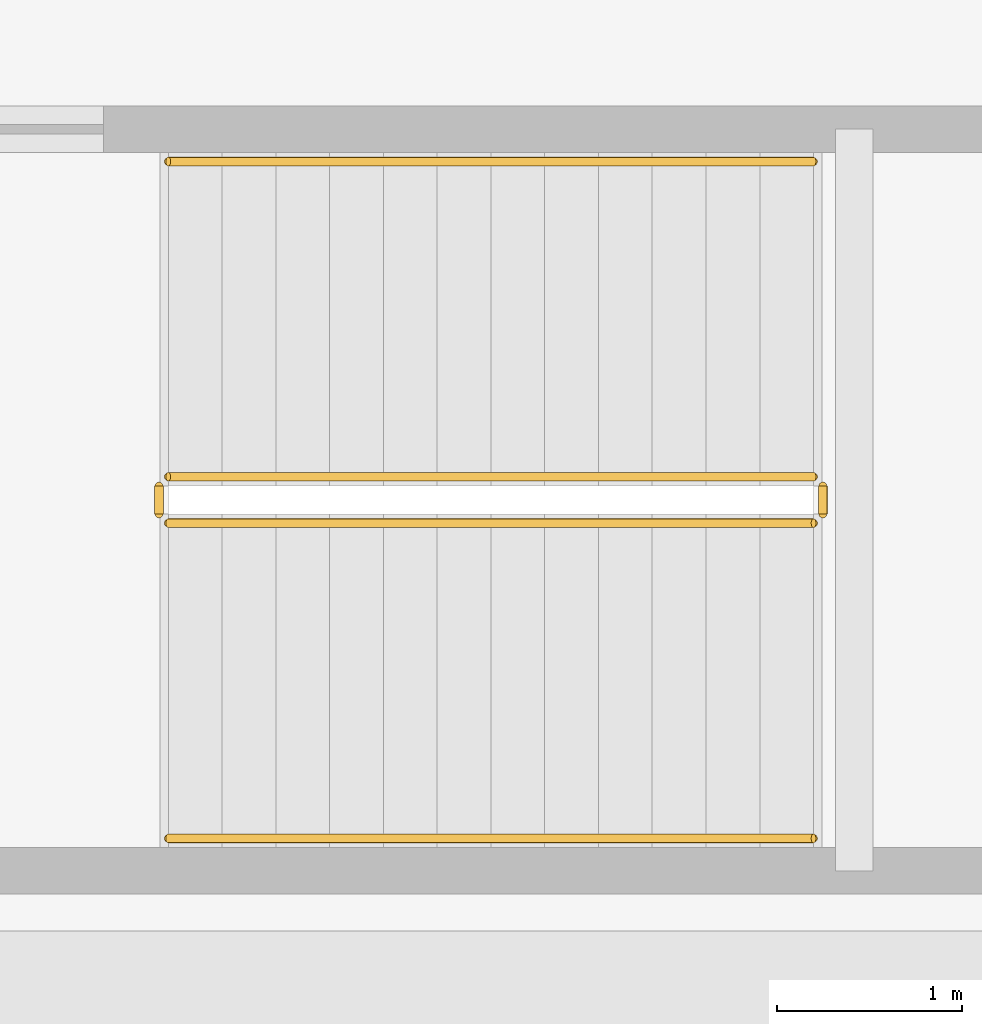
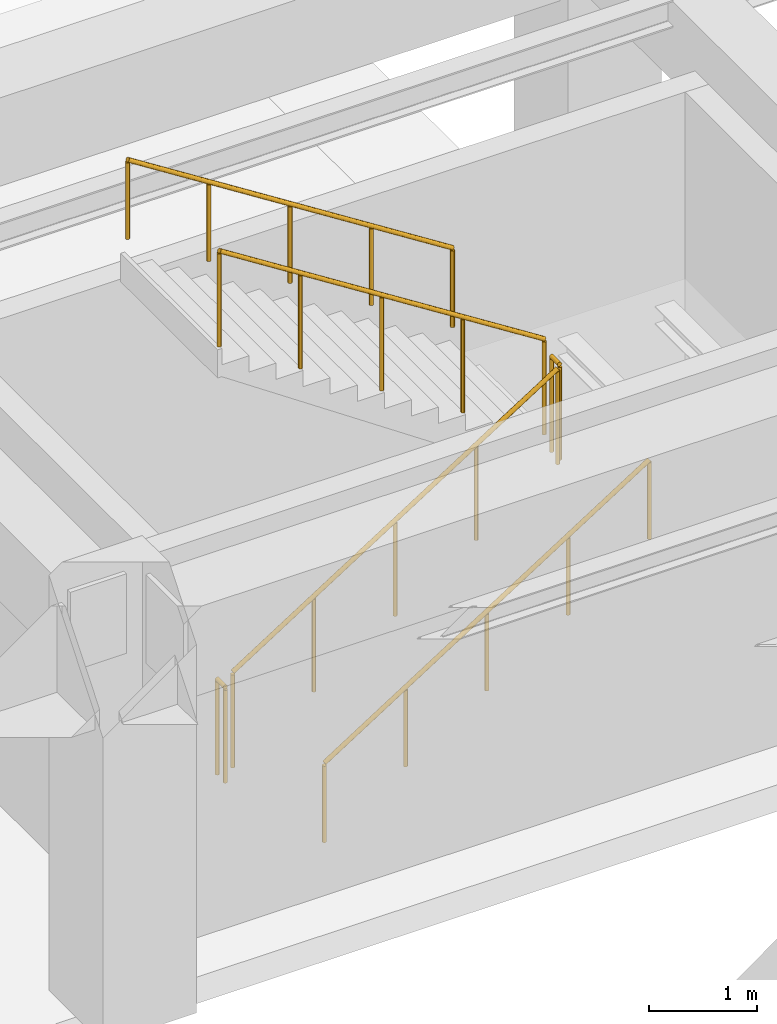
# One storey, part 43 of 45: 6 railings.
"""IFC4 building model written with IfcOpenShell, lengths in metres."""

import ifcopenshell
import ifcopenshell.guid

model = None  # the IFC model being written
_history = None  # IfcOwnerHistory: only IFC2X3 demands one
_inside = {}  # id of a spatial element -> (the spatial element, [elements in it])
_under = {}  # id of a project, library or spatial element -> (it, [spatial elements below it])
_declared = {}  # id of a project -> (the project, [libraries it declares])
_typed = {}  # id of a type object -> (the type object, [elements of that type])
_made_of = {}  # id of a material, layer set ... -> (it, [elements and type objects made of it])


def new_model(schema):
    """Start an empty IFC model of exactly this schema.

    Asked for "IFC4X3", IfcOpenShell would pick the latest addendum, in which some entities
    have other attributes; the version numbers below select the first issue.
    IFC2X3 requires an IfcOwnerHistory on every rooted entity: one is made here for all.
    """
    global model, _history
    if schema == "IFC4X3":
        model = ifcopenshell.file(schema_version=(4, 3, 0, 0))
    else:
        model = ifcopenshell.file(schema=schema)
    _inside.clear()
    _under.clear()
    _declared.clear()
    _typed.clear()
    _made_of.clear()
    _history = None
    if model.schema == "IFC2X3":
        org = make("IfcOrganization", Name="unknown")
        user = make(
            "IfcPersonAndOrganization",
            ThePerson=make("IfcPerson", FamilyName="unknown"),
            TheOrganization=org,
        )
        app = make(
            "IfcApplication",
            ApplicationDeveloper=org,
            Version="unknown",
            ApplicationFullName="unknown",
            ApplicationIdentifier="unknown",
        )
        _history = make(
            "IfcOwnerHistory",
            OwningUser=user,
            OwningApplication=app,
            ChangeAction="ADDED",
            CreationDate=0,
        )
    return model


def make(cls, **values):
    """One entity of the class cls with the attributes given. An attribute that is None is left unset."""
    return model.create_entity(
        cls, **{name: value for name, value in values.items() if value is not None}
    )


def rooted(cls, **values):
    """An entity with a GlobalId (a new one), such as an element, a storey or a relation."""
    return make(cls, GlobalId=ifcopenshell.guid.new(), OwnerHistory=_history, **values)


def si_unit(unit_type, name, prefix=None):
    """IfcSIUnit, for example si_unit("LENGTHUNIT", "METRE", prefix="MILLI")."""
    return make("IfcSIUnit", UnitType=unit_type, Prefix=prefix, Name=name)


def assignment(units):
    """IfcUnitAssignment: the units of a project."""
    return None if units is None else make("IfcUnitAssignment", Units=units)


def point(xyz):
    """IfcCartesianPoint."""
    return None if xyz is None else make("IfcCartesianPoint", Coordinates=xyz)


def direction(xyz):
    """IfcDirection."""
    return None if xyz is None else make("IfcDirection", DirectionRatios=xyz)


def frame(location, z_axis=None, x_axis=None):
    """IfcAxis2Placement3D, a coordinate frame: its origin and axes. An axis left out is left unset."""
    return make(
        "IfcAxis2Placement3D",
        Location=point(location),
        Axis=direction(z_axis),
        RefDirection=direction(x_axis),
    )


def frame_2d(location, x_axis=None):
    """IfcAxis2Placement2D, a coordinate frame in the plane: its origin and x axis."""
    return make(
        "IfcAxis2Placement2D", Location=point(location), RefDirection=direction(x_axis)
    )


def origin():
    """The frame at (0, 0, 0) with its axes left unset."""
    return frame((0.0, 0.0, 0.0))


def origin_2d():
    """The frame at (0, 0) in the plane with its x axis left unset."""
    return frame_2d((0.0, 0.0))


def place(relative_to, where):
    """IfcLocalPlacement: puts the frame where relative to a parent placement (None: the world)."""
    return make(
        "IfcLocalPlacement", PlacementRelTo=relative_to, RelativePlacement=where
    )


def context(
    kind, dimensions, precision=None, world=None, true_north=None, identifier=None
):
    """IfcGeometricRepresentationContext, for example the 3D "Model" context."""
    return make(
        "IfcGeometricRepresentationContext",
        ContextIdentifier=identifier,
        ContextType=kind,
        CoordinateSpaceDimension=dimensions,
        Precision=precision,
        WorldCoordinateSystem=world,
        TrueNorth=true_north,
    )


def subcontext(parent, identifier, kind, view, scale=None):
    """IfcGeometricRepresentationSubContext, for example "Body" below "Model"."""
    return make(
        "IfcGeometricRepresentationSubContext",
        ContextIdentifier=identifier,
        ContextType=kind,
        ParentContext=parent,
        TargetScale=scale,
        TargetView=view,
    )


def project(units=None, contexts=None):
    """IfcProject with its units and contexts."""
    return rooted(
        "IfcProject",
        Name="project",
        RepresentationContexts=contexts,
        UnitsInContext=assignment(units),
    )


def spatial(cls, under=None, at=None, **own):
    """A site, building, storey or space (cls), placed at a placement, below another one or the project."""
    s = rooted(cls, ObjectPlacement=at, **own)
    if under is not None:
        _under.setdefault(under.id(), (under, []))[1].append(s)
    return s


def profile(cls, at=None, kind="AREA", **sizes):
    """A parametric profile (cls). Its sizes go by their IFC names, for example OverallWidth=200.0."""
    return make(cls, ProfileType=kind, Position=at, **sizes)


def circle(**sizes):
    """IfcCircleProfileDef."""
    return profile("IfcCircleProfileDef", **sizes)


def extrude(swept, where, along, depth):
    """IfcExtrudedAreaSolid: the profile swept, set in the frame where, extruded along a direction by depth."""
    return make(
        "IfcExtrudedAreaSolid",
        SweptArea=swept,
        Position=where,
        ExtrudedDirection=direction(along),
        Depth=depth,
    )


def shape(context_of_items, identifier, shape_type, items):
    """IfcShapeRepresentation: the items that make up one representation, for example the "Body"."""
    return make(
        "IfcShapeRepresentation",
        ContextOfItems=context_of_items,
        RepresentationIdentifier=identifier,
        RepresentationType=shape_type,
        Items=items,
    )


def material(Name=None, Category=None):
    """IfcMaterial."""
    return make("IfcMaterial", Name=Name, Category=Category)


def made_of(thing, what):
    """Note that an element or type object is made of a material, layer set ...; save() writes the relation."""
    if what is not None:
        _made_of.setdefault(what.id(), (what, []))[1].append(thing)
    return thing


def type_object(cls, material=None, **own):
    """A type object (cls), such as IfcWallType, which elements share."""
    return made_of(rooted(cls, **own), material)


def element(
    cls,
    number,
    at=None,
    inside=None,
    cuts=None,
    type_object=None,
    material=None,
    context=None,
    identifier="Body",
    shape_type=None,
    held_by="IfcProductDefinitionShape",
    body=None,
    shapes=None,
    **own,
):
    """One element of the class cls, such as IfcWall. Its Tag is "e" and its number.

    at: its placement. inside: the storey or other place that contains it. cuts: it is an
    opening in that element (IfcRelVoidsElement). A single representation is given by context,
    identifier, shape_type and body (its items); several are given by shapes. held_by: the class
    of the entity that holds the representations. save() writes the other relations.
    """
    e = rooted(cls, Tag="e%d" % number, ObjectPlacement=at, **own)
    if body is not None:
        shapes = [shape(context, identifier, shape_type, body)]
    if shapes is not None:
        e.Representation = make(held_by, Representations=shapes)
    if inside is not None:
        _inside.setdefault(inside.id(), (inside, []))[1].append(e)
    if cuts is not None:
        rooted(
            "IfcRelVoidsElement", RelatingBuildingElement=cuts, RelatedOpeningElement=e
        )
    if type_object is not None:
        _typed.setdefault(type_object.id(), (type_object, []))[1].append(e)
    return made_of(e, material)


def aggregate(whole, parts):
    """IfcRelAggregates: a whole, such as a stair, and the parts it consists of."""
    return rooted("IfcRelAggregates", RelatingObject=whole, RelatedObjects=parts)


def save(model, path):
    """Write the relations noted so far, then the file.

    IfcRelAggregates (storeys below a building ...), IfcRelContainedInSpatialStructure (elements
    in a storey), IfcRelDefinesByType, IfcRelAssociatesMaterial and IfcRelDeclares: one each for
    every whole, place, type object, material and project.
    """
    for whole, parts in _under.values():
        aggregate(whole, parts)
    for where, things in _inside.values():
        rooted(
            "IfcRelContainedInSpatialStructure",
            RelatedElements=things,
            RelatingStructure=where,
        )
    for kind, things in _typed.values():
        rooted("IfcRelDefinesByType", RelatedObjects=things, RelatingType=kind)
    for what, things in _made_of.values():
        rooted("IfcRelAssociatesMaterial", RelatedObjects=things, RelatingMaterial=what)
    for by, libraries in _declared.values():
        rooted("IfcRelDeclares", RelatingContext=by, RelatedDefinitions=libraries)
    model.write(path)


model = new_model("IFC4")

# Units and contexts
model_context = context("Model", 3, precision=1e-05, world=origin(), true_north=direction((0.0, 1.0)))
body_context = subcontext(model_context, "Body", "Model", "MODEL_VIEW")
ifc_project = project(units=[si_unit("LENGTHUNIT", "METRE"), si_unit("AREAUNIT", "SQUARE_METRE"), si_unit("VOLUMEUNIT", "CUBIC_METRE"), si_unit("PLANEANGLEUNIT", "RADIAN"), si_unit("MASSUNIT", "GRAM", prefix="KILO")], contexts=[model_context])

# Site, building, storey
site_placement = place(None, origin())
site = spatial("IfcSite", under=ifc_project, at=site_placement, CompositionType="ELEMENT")
building_placement = place(site_placement, origin())
building = spatial("IfcBuilding", under=site, at=building_placement, Name="Mavantir Sound Aquarium", CompositionType="ELEMENT")
storey_placement = place(building_placement, frame((0.0, 0.0, -4.800048828125)))
storey = spatial("IfcBuildingStorey", under=building, at=storey_placement, Name="B1", CompositionType="ELEMENT", Elevation=-4.800048828125)

# Railings
ifc_material_1 = material(Name="Stainless Steel 316 and Laminated Glass Guardrail", Category="steel")
railing_type_1 = type_object("IfcRailingType", Name="RL-GUARD-110", PredefinedType="GUARDRAIL", material=ifc_material_1)
railing_1_placement = place(storey_placement, frame((149.050048828125, 43.35009765625, 0.1845703125)))
element("IfcRailing", 1, at=railing_1_placement, inside=storey, type_object=railing_type_1, Name="B1 ST12 stair guard 1", PredefinedType="GUARDRAIL", context=body_context, shape_type="SweptSolid", body=[
    extrude(circle(Radius=0.02392578125, at=origin_2d()), frame((0.0, 0.0, 1.076171875), z_axis=(0.843546938479, 0.0, 0.53705545578), x_axis=(0.0, 1.0, 0.0)), (0.0, 0.0, 1.0), 4.12548828125),
    extrude(circle(Radius=0.02099609375, at=origin_2d()), origin(), (0.0, 0.0, 1.0), 1.052001953125),
    extrude(circle(Radius=0.02099609375, at=origin_2d()), frame((0.8701171875, 0.0, 0.553955078125)), (0.0, 0.0, 1.0), 1.052001953125),
    extrude(circle(Radius=0.02099609375, at=origin_2d()), frame((1.739990234375, 0.0, 1.10791015625)), (0.0, 0.0, 1.0), 1.052001953125),
    extrude(circle(Radius=0.02099609375, at=origin_2d()), frame((2.60986328125, 0.0, 1.66162109375)), (0.0, 0.0, 1.0), 1.052001953125),
    extrude(circle(Radius=0.02099609375, at=origin_2d()), frame((3.47998046875, 0.0, 2.215576171875)), (0.0, 0.0, 1.0), 1.052001953125),
])
railing_2_placement = place(storey_placement, frame((152.580078125, 43.39990234375, 2.400146484375)))
element("IfcRailing", 2, at=railing_2_placement, inside=storey, type_object=railing_type_1, Name="B1 ST12 stair guard 2", PredefinedType="GUARDRAIL", context=body_context, shape_type="SweptSolid", body=[
    extrude(circle(Radius=0.02392578125, at=origin_2d()), frame((0.0, 0.0, 1.076171875), z_axis=(0.0, 1.0, 0.0), x_axis=(-1.0, 0.0, 0.0)), (0.0, 0.0, 1.0), 0.150146484375),
    extrude(circle(Radius=0.02099609375, at=origin_2d()), origin(), (0.0, 0.0, 1.0), 1.052001953125),
    extrude(circle(Radius=0.02099609375, at=origin_2d()), frame((0.0, 0.150146484375, 0.0)), (0.0, 0.0, 1.0), 1.052001953125),
])
railing_3_placement = place(storey_placement, frame((152.530029296875, 43.60009765625, 2.584716796875)))
element("IfcRailing", 3, at=railing_3_placement, inside=storey, type_object=railing_type_1, Name="B1 ST12 stair guard 3", PredefinedType="GUARDRAIL", context=body_context, shape_type="SweptSolid", body=[
    extrude(circle(Radius=0.02392578125, at=origin_2d()), frame((0.0, 0.0, 1.076171875), z_axis=(-0.843573748531, 0.0, 0.537013343214), x_axis=(0.0, -1.0, 0.0)), (0.0, 0.0, 1.0), 4.125244140625),
    extrude(circle(Radius=0.02099609375, at=origin_2d()), origin(), (0.0, 0.0, 1.0), 1.052001953125),
    extrude(circle(Radius=0.02099609375, at=origin_2d()), frame((-0.8701171875, 0.0, 0.5537109375)), (0.0, 0.0, 1.0), 1.052001953125),
    extrude(circle(Radius=0.02099609375, at=origin_2d()), frame((-1.739990234375, 0.0, 1.107666015625)), (0.0, 0.0, 1.0), 1.052001953125),
    extrude(circle(Radius=0.02099609375, at=origin_2d()), frame((-2.60986328125, 0.0, 1.66162109375)), (0.0, 0.0, 1.0), 1.052001953125),
    extrude(circle(Radius=0.02099609375, at=origin_2d()), frame((-3.47998046875, 0.0, 2.21533203125)), (0.0, 0.0, 1.0), 1.052001953125),
])
railing_4_placement = place(storey_placement, frame((149.0, 43.39990234375, 0.0)))
element("IfcRailing", 4, at=railing_4_placement, inside=storey, type_object=railing_type_1, Name="B1 ST12 stair guard 4", PredefinedType="GUARDRAIL", context=body_context, shape_type="SweptSolid", body=[
    extrude(circle(Radius=0.02392578125, at=origin_2d()), frame((0.0, 0.0, 1.076171875), z_axis=(0.0, 1.0, 0.0), x_axis=(-1.0, 0.0, 0.0)), (0.0, 0.0, 1.0), 0.150146484375),
    extrude(circle(Radius=0.02099609375, at=origin_2d()), origin(), (0.0, 0.0, 1.0), 1.052001953125),
    extrude(circle(Radius=0.02099609375, at=origin_2d()), frame((0.0, 0.150146484375, 0.0)), (0.0, 0.0, 1.0), 1.052001953125),
])
ifc_material_2 = material(Name="Brushed Stainless Steel 316 Handrail", Category="steel")
railing_type_2 = type_object("IfcRailingType", Name="RL-HR-90", PredefinedType="HANDRAIL", material=ifc_material_2)
railing_5_placement = place(storey_placement, frame((149.050048828125, 41.64990234375, 0.36962890625)))
element("IfcRailing", 5, at=railing_5_placement, inside=storey, type_object=railing_type_2, Name="B1 ST12 stair handrail 1", PredefinedType="HANDRAIL", context=body_context, shape_type="SweptSolid", body=[
    extrude(circle(Radius=0.02392578125, at=origin_2d()), frame((0.0, 0.0, 0.89111328125), z_axis=(0.843573748531, 0.0, 0.537013343214), x_axis=(0.0, 1.0, 0.0)), (0.0, 0.0, 1.0), 4.125244140625),
    extrude(circle(Radius=0.02099609375, at=origin_2d()), origin(), (0.0, 0.0, 1.0), 0.866943359375),
    extrude(circle(Radius=0.02099609375, at=origin_2d()), frame((0.8701171875, 0.0, 0.5537109375)), (0.0, 0.0, 1.0), 0.866943359375),
    extrude(circle(Radius=0.02099609375, at=origin_2d()), frame((1.739990234375, 0.0, 1.107666015625)), (0.0, 0.0, 1.0), 0.866943359375),
    extrude(circle(Radius=0.02099609375, at=origin_2d()), frame((2.60986328125, 0.0, 1.66162109375)), (0.0, 0.0, 1.0), 0.866943359375),
    extrude(circle(Radius=0.02099609375, at=origin_2d()), frame((3.47998046875, 0.0, 2.21533203125)), (0.0, 0.0, 1.0), 0.866943359375),
])
railing_6_placement = place(storey_placement, frame((152.530029296875, 45.300048828125, 2.769775390625)))
element("IfcRailing", 6, at=railing_6_placement, inside=storey, type_object=railing_type_2, Name="B1 ST12 stair handrail 2", PredefinedType="HANDRAIL", context=body_context, shape_type="SweptSolid", body=[
    extrude(circle(Radius=0.02392578125, at=origin_2d()), frame((0.0, 0.0, 0.89111328125), z_axis=(-0.843573748531, 0.0, 0.537013343214), x_axis=(0.0, -1.0, 0.0)), (0.0, 0.0, 1.0), 4.125244140625),
    extrude(circle(Radius=0.02099609375, at=origin_2d()), origin(), (0.0, 0.0, 1.0), 0.866943359375),
    extrude(circle(Radius=0.02099609375, at=origin_2d()), frame((-0.8701171875, 0.0, 0.5537109375)), (0.0, 0.0, 1.0), 0.866943359375),
    extrude(circle(Radius=0.02099609375, at=origin_2d()), frame((-1.739990234375, 0.0, 1.107666015625)), (0.0, 0.0, 1.0), 0.866943359375),
    extrude(circle(Radius=0.02099609375, at=origin_2d()), frame((-2.60986328125, 0.0, 1.66162109375)), (0.0, 0.0, 1.0), 0.866943359375),
    extrude(circle(Radius=0.02099609375, at=origin_2d()), frame((-3.47998046875, 0.0, 2.21533203125)), (0.0, 0.0, 1.0), 0.866943359375),
])

save(model, "model.ifc")
